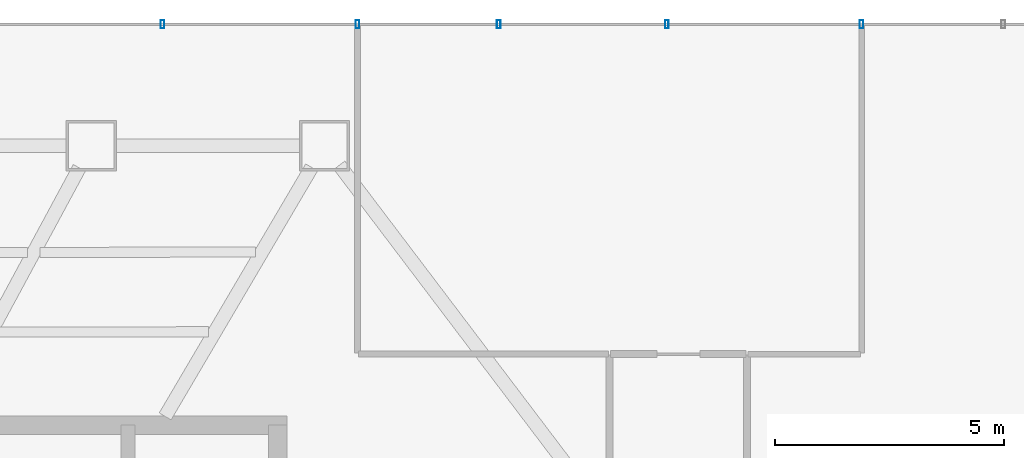
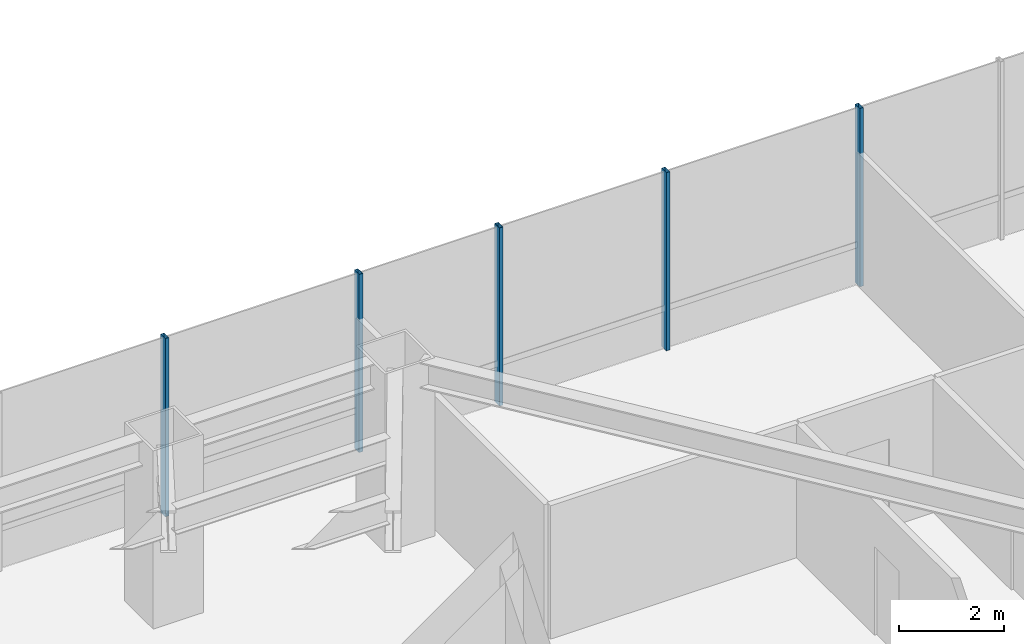
# One storey, part 27 of 43: 5 members, 1 element without a shape of its own.
"""IFC4 building model written with IfcOpenShell, lengths in metres."""

from ifc_helpers import new_model, si_unit, direction, frame, origin, origin_2d, place, context, subcontext, project, spatial, hollow_rectangle, extrude, material, layer, layer_set, material_profile, profile_set, type_object, element, aggregate, save


model = new_model("IFC4")

# Units and contexts
model_context = context("Model", 3, precision=1e-05, world=origin(), true_north=direction((0.0, 1.0)))
body_context = subcontext(model_context, "Body", "Model", "MODEL_VIEW")
ifc_project = project(units=[si_unit("LENGTHUNIT", "METRE"), si_unit("AREAUNIT", "SQUARE_METRE"), si_unit("VOLUMEUNIT", "CUBIC_METRE"), si_unit("PLANEANGLEUNIT", "RADIAN"), si_unit("MASSUNIT", "GRAM", prefix="KILO")], contexts=[model_context])

# Site, building, storey
site_placement = place(None, origin())
site = spatial("IfcSite", under=ifc_project, at=site_placement, CompositionType="ELEMENT")
building_placement = place(site_placement, origin())
building = spatial("IfcBuilding", under=site, at=building_placement, Name="Zarrinselat Tower", CompositionType="ELEMENT")
storey_placement = place(building_placement, frame((0.0, 0.0, 5.10009765625)))
storey = spatial("IfcBuildingStorey", under=building, at=storey_placement, Name="L01", CompositionType="ELEMENT", Elevation=5.10009765625)

# Curtain wall, members
ifc_material_1 = material(Name="Extruded Aluminium Alloy EN AW-6063 T6", Category="aluminium")
ifc_layer = layer(ifc_material_1, 0.2099609375)
ifc_layer_set = layer_set([ifc_layer], Name="Extruded Aluminium Alloy EN AW-6063 T6")
curtain_wall_type = type_object("IfcCurtainWallType", Name="CWS-POD", PredefinedType="NOTDEFINED", material=ifc_layer_set)
curtain_wall_placement = place(storey_placement, origin())
curtain_wall = element("IfcCurtainWall", 1, at=curtain_wall_placement, inside=storey, type_object=curtain_wall_type, Name="L01 Unitised Curtain Wall CW-L01-F5", PredefinedType="NOTDEFINED")
ifc_material_2 = material(Name="Extruded Aluminium Alloy EN AW-6063 T6", Category="aluminium")
ifc_material_profile = material_profile(ifc_material_2, hollow_rectangle(XDim=0.080078125, YDim=0.179931640625, WallThickness=0.0048828125, at=origin_2d()), Name="RHS 180x80x5")
ifc_profile_set = profile_set([ifc_material_profile], Name="Extruded Aluminium Alloy EN AW-6063 T6")
member_type = type_object("IfcMemberType", Name="MEM-CW-MUL", PredefinedType="MULLION", material=ifc_profile_set)
member_1_placement = place(storey_placement, frame((61.0, 52.199951171875, 0.0), z_axis=(0.0, 0.0, 1.0), x_axis=(-1.0, 0.0, 0.0)))
member_1 = element("IfcMember", 2, at=member_1_placement, type_object=member_type, Name="CW-L01-F5 Mullion 4", PredefinedType="MULLION", context=body_context, shape_type="SweptSolid", body=[
    extrude(hollow_rectangle(XDim=0.080078125, YDim=0.179931640625, WallThickness=0.0048828125, at=origin_2d()), origin(), (0.0, 0.0, 1.0), 4.139892578125),
])
member_2_placement = place(storey_placement, frame((56.75, 52.199951171875, 0.0), z_axis=(0.0, 0.0, 1.0), x_axis=(-1.0, 0.0, 0.0)))
member_2 = element("IfcMember", 3, at=member_2_placement, type_object=member_type, Name="CW-L01-F5 Mullion 5", PredefinedType="MULLION", context=body_context, shape_type="SweptSolid", body=[
    extrude(hollow_rectangle(XDim=0.080078125, YDim=0.179931640625, WallThickness=0.0048828125, at=origin_2d()), origin(), (0.0, 0.0, 1.0), 4.139892578125),
])
member_3_placement = place(storey_placement, frame((53.080078125, 52.199951171875, 0.0), z_axis=(0.0, 0.0, 1.0), x_axis=(-1.0, 0.0, 0.0)))
member_3 = element("IfcMember", 4, at=member_3_placement, type_object=member_type, Name="CW-L01-F5 Mullion 6", PredefinedType="MULLION", context=body_context, shape_type="SweptSolid", body=[
    extrude(hollow_rectangle(XDim=0.080078125, YDim=0.179931640625, WallThickness=0.0048828125, at=origin_2d()), origin(), (0.0, 0.0, 1.0), 4.139892578125),
])
member_4_placement = place(storey_placement, frame((50.0, 52.199951171875, 0.0), z_axis=(0.0, 0.0, 1.0), x_axis=(-1.0, 0.0, 0.0)))
member_4 = element("IfcMember", 5, at=member_4_placement, type_object=member_type, Name="CW-L01-F5 Mullion 7", PredefinedType="MULLION", context=body_context, shape_type="SweptSolid", body=[
    extrude(hollow_rectangle(XDim=0.080078125, YDim=0.179931640625, WallThickness=0.0048828125, at=origin_2d()), origin(), (0.0, 0.0, 1.0), 4.139892578125),
])
member_5_placement = place(storey_placement, frame((45.739990234375, 52.199951171875, 0.0), z_axis=(0.0, 0.0, 1.0), x_axis=(-1.0, 0.0, 0.0)))
member_5 = element("IfcMember", 6, at=member_5_placement, type_object=member_type, Name="CW-L01-F5 Mullion 8", PredefinedType="MULLION", context=body_context, shape_type="SweptSolid", body=[
    extrude(hollow_rectangle(XDim=0.080078125, YDim=0.179931640625, WallThickness=0.0048828125, at=origin_2d()), origin(), (0.0, 0.0, 1.0), 4.139892578125),
])
aggregate(curtain_wall, [member_1, member_2, member_3, member_4, member_5])

save(model, "model.ifc")
